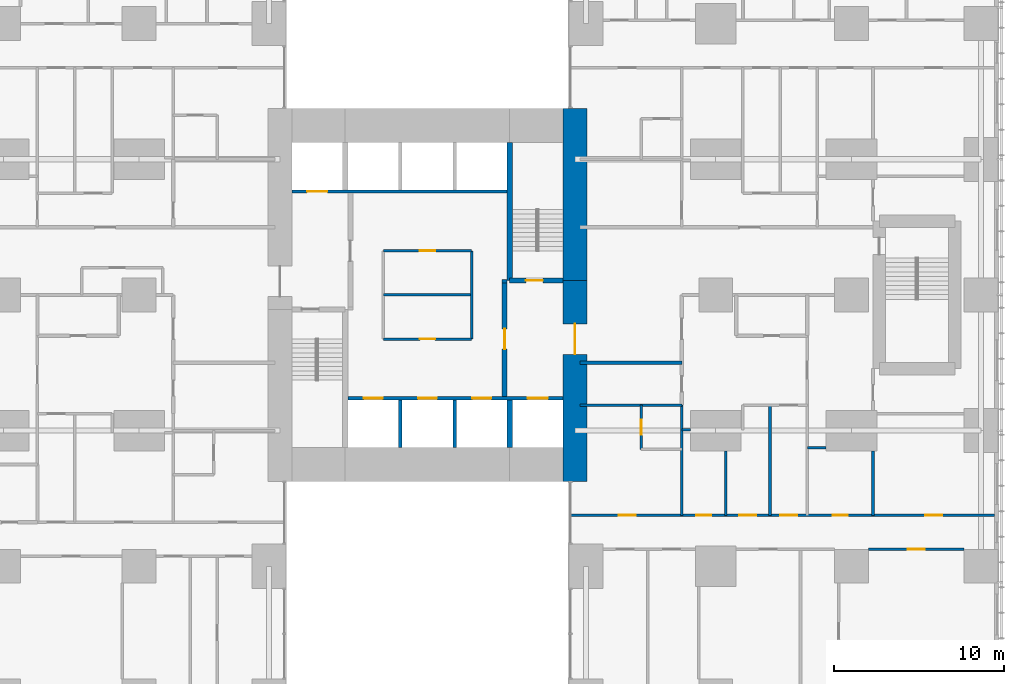
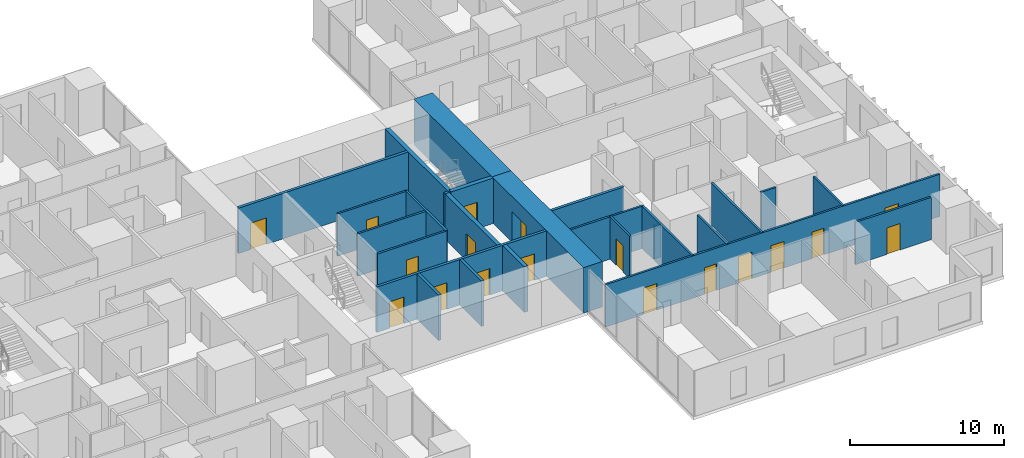
# One storey, part 15 of 20: 26 walls, 18 doors, 18 openings.
"""IFC4 building model written with IfcOpenShell, lengths in metres."""

from ifc_helpers import new_model, si_unit, direction, frame, frame_2d, origin, place, context, subcontext, project, spatial, rectangle, extrude, material, layer, layer_set, type_object, element, fill, save


model = new_model("IFC4")

# Units and contexts
model_context = context("Model", 3, precision=1e-05, world=origin(), true_north=direction((0.0, 1.0)))
body_context = subcontext(model_context, "Body", "Model", "MODEL_VIEW")
ifc_project = project(units=[si_unit("LENGTHUNIT", "METRE"), si_unit("AREAUNIT", "SQUARE_METRE"), si_unit("VOLUMEUNIT", "CUBIC_METRE"), si_unit("PLANEANGLEUNIT", "RADIAN"), si_unit("MASSUNIT", "GRAM", prefix="KILO")], contexts=[model_context])

# Site, building, storey
site_placement = place(None, origin())
site = spatial("IfcSite", under=ifc_project, at=site_placement, CompositionType="ELEMENT")
building_placement = place(site_placement, origin())
building = spatial("IfcBuilding", under=site, at=building_placement, Name="Cleftline Residences", CompositionType="ELEMENT")
storey_placement = place(building_placement, frame((0.0, 0.0, 157.39990234375)))
storey = spatial("IfcBuildingStorey", under=building, at=storey_placement, Name="L41", CompositionType="ELEMENT", Elevation=157.39990234375)

# Wall, opening, door
ifc_material_1 = material(Name="Concrete B70", Category="concrete")
ifc_layer_1 = layer(ifc_material_1, 1.39990234375)
ifc_layer_set_1 = layer_set([ifc_layer_1], Name="CORE WALL 1400")
wall_type_1 = type_object("IfcWallType", Name="CORE WALL 1400", PredefinedType="SHEAR", material=ifc_layer_set_1)
wall_1_placement = place(storey_placement, frame((41.699951171875, 13.0, 0.0), z_axis=(0.0, 0.0, 1.0), x_axis=(0.0, 1.0, 0.0)))
wall_1 = element("IfcWall", 1, at=wall_1_placement, inside=storey, type_object=wall_type_1, Name="Core wall E", PredefinedType="SHEAR", context=body_context, shape_type="SweptSolid", body=[
    extrude(rectangle(XDim=11.85009765625, YDim=1.39990234375, at=frame_2d((5.925048828125, 0.0))), origin(), (0.0, 0.0, 1.0), 3.60009765625),
])
opening_1_placement = place(wall_1_placement, frame((7.5, 0.0, 0.0)))
opening_1 = element("IfcOpeningElement", 2, at=opening_1_placement, cuts=wall_1, Name="Opening D7", PredefinedType="OPENING", context=body_context, shape_type="SweptSolid", body=[
    extrude(rectangle(XDim=1.800048828125, YDim=2.39990234375, at=frame_2d((0.89990234375, 1.199951171875))), frame((0.0, 0.7099609375, 0.0), z_axis=(0.0, -1.0, 0.0), x_axis=(1.0, 0.0, 0.0)), (0.0, 0.0, 1.0), 1.419921875),
])
ifc_material_2 = material(Name="Steel", Category="steel")
door_type_1 = type_object("IfcDoorType", Name="WING DOOR 1800X2400", OperationType="DOUBLE_DOOR_DOUBLE_SWING", PredefinedType="DOOR", material=ifc_material_2)
door_1_placement = place(opening_1_placement, origin())
door_1 = element("IfcDoor", 3, at=door_1_placement, inside=storey, type_object=door_type_1, Name="East wing door", OperationType="DOUBLE_DOOR_DOUBLE_SWING", OverallHeight=2.39990234375, OverallWidth=1.800048828125, PredefinedType="DOOR", context=body_context, shape_type="SweptSolid", body=[
    extrude(rectangle(XDim=1.800048828125, YDim=2.39990234375, at=frame_2d((0.89990234375, 1.199951171875))), frame((0.0, 0.02490234375, 0.0), z_axis=(0.0, -1.0, 0.0), x_axis=(1.0, 0.0, 0.0)), (0.0, 0.0, 1.0), 0.050048828125),
])
fill(opening_1, door_1)

# Walls
wall_2_placement = place(storey_placement, frame((41.699951171875, 24.85009765625, 0.0), z_axis=(0.0, 0.0, 1.0), x_axis=(0.0, 1.0, 0.0)))
element("IfcWall", 4, at=wall_2_placement, inside=storey, type_object=wall_type_1, Name="Core wall E1", PredefinedType="SHEAR", context=body_context, shape_type="SweptSolid", body=[
    extrude(rectangle(XDim=10.14990234375, YDim=1.39990234375, at=frame_2d((5.074951171875, 0.0))), origin(), (0.0, 0.0, 1.0), 3.60009765625),
])
ifc_material_3 = material(Name="Concrete B70", Category="concrete")
ifc_layer_2 = layer(ifc_material_3, 0.300048828125)
ifc_layer_set_2 = layer_set([ifc_layer_2], Name="CORE WALL 300")
wall_type_2 = type_object("IfcWallType", Name="CORE WALL 300", PredefinedType="SHEAR", material=ifc_layer_set_2)
wall_3_placement = place(storey_placement, frame((37.85009765625, 24.85009765625, 0.0), z_axis=(0.0, 0.0, 1.0), x_axis=(0.0, 1.0, 0.0)))
element("IfcWall", 5, at=wall_3_placement, inside=storey, type_object=wall_type_2, Name="Core wall SB-W", PredefinedType="SHEAR", context=body_context, shape_type="SweptSolid", body=[
    extrude(rectangle(XDim=8.14990234375, YDim=0.300048828125, at=frame_2d((4.074951171875, 0.0))), origin(), (0.0, 0.0, 1.0), 3.60009765625),
])

# Wall, opening, door
wall_4_placement = place(storey_placement, frame((37.85009765625, 24.85009765625, 0.0), z_axis=(0.0, 0.0, 1.0), x_axis=(1.0, 0.0, 0.0)))
wall_4 = element("IfcWall", 6, at=wall_4_placement, inside=storey, type_object=wall_type_2, Name="Core wall SB-S", PredefinedType="SHEAR", context=body_context, shape_type="SweptSolid", body=[
    extrude(rectangle(XDim=3.14990234375, YDim=0.300048828125, at=frame_2d((1.574951171875, 0.0))), origin(), (0.0, 0.0, 1.0), 3.60009765625),
])
opening_2_placement = place(wall_4_placement, frame((0.949951171875, 0.0, 0.0)))
opening_2 = element("IfcOpeningElement", 7, at=opening_2_placement, cuts=wall_4, Name="Opening D5", PredefinedType="OPENING", context=body_context, shape_type="SweptSolid", body=[
    extrude(rectangle(XDim=1.0, YDim=2.10009765625, at=frame_2d((0.5, 1.050048828125))), frame((0.0, 0.159912109375, 0.0), z_axis=(0.0, -1.0, 0.0), x_axis=(1.0, 0.0, 0.0)), (0.0, 0.0, 1.0), 0.320068359375),
])
ifc_material_4 = material(Name="Steel", Category="steel")
door_type_2 = type_object("IfcDoorType", Name="STAIR DOOR 1000X2100", OperationType="SINGLE_SWING_LEFT", PredefinedType="DOOR", material=ifc_material_4)
door_2_placement = place(opening_2_placement, origin())
door_2 = element("IfcDoor", 8, at=door_2_placement, inside=storey, type_object=door_type_2, Name="Stair B door", OperationType="SINGLE_SWING_RIGHT", OverallHeight=2.10009765625, OverallWidth=1.0, PredefinedType="DOOR", context=body_context, shape_type="SweptSolid", body=[
    extrude(rectangle(XDim=1.0, YDim=2.10009765625, at=frame_2d((0.5, 1.050048828125))), frame((0.0, 0.02490234375, 0.0), z_axis=(0.0, -1.0, 0.0), x_axis=(1.0, 0.0, 0.0)), (0.0, 0.0, 1.0), 0.050048828125),
])
fill(opening_2, door_2)

# Walls
wall_5_placement = place(storey_placement, frame((37.85009765625, 15.0, 0.0), z_axis=(0.0, 0.0, 1.0), x_axis=(0.0, 1.0, 0.0)))
element("IfcWall", 9, at=wall_5_placement, inside=storey, type_object=wall_type_2, Name="Lift shaft wall", PredefinedType="SHEAR", context=body_context, shape_type="SweptSolid", body=[
    extrude(rectangle(XDim=2.800048828125, YDim=0.300048828125, at=frame_2d((1.39990234375, 0.0))), origin(), (0.0, 0.0, 1.0), 3.60009765625),
])
ifc_material_5 = material(Name="Concrete blockwork, fire rated", Category="masonry")
ifc_layer_3 = layer(ifc_material_5, 0.199951171875)
ifc_layer_set_3 = layer_set([ifc_layer_3], Name="FIRE WALL 200")
wall_type_3 = type_object("IfcWallType", Name="FIRE WALL 200", PredefinedType="PARTITIONING", material=ifc_layer_set_3)
wall_6_placement = place(storey_placement, frame((42.0, 20.0, 0.0), z_axis=(0.0, 0.0, 1.0), x_axis=(1.0, 0.0, 0.0)))
element("IfcWall", 10, at=wall_6_placement, inside=storey, type_object=wall_type_3, Name="Fire separating wall", PredefinedType="PARTITIONING", context=body_context, shape_type="SweptSolid", body=[
    extrude(rectangle(XDim=6.0, YDim=0.199951171875, at=frame_2d((3.0, 0.0))), origin(), (0.0, 0.0, 1.0), 3.35009765625),
])
wall_7_placement = place(storey_placement, frame((37.39990234375, 24.800048828125, 0.0), z_axis=(0.0, 0.0, 1.0), x_axis=(1.0, 0.0, 0.0)))
element("IfcWall", 11, at=wall_7_placement, inside=storey, type_object=wall_type_3, Name="Fire separating wall", PredefinedType="PARTITIONING", context=body_context, shape_type="SweptSolid", body=[
    extrude(rectangle(XDim=0.300048828125, YDim=0.199951171875, at=frame_2d((0.14990234375, 0.0))), origin(), (0.0, 0.0, 1.0), 3.60009765625),
])

# Wall, opening, door
ifc_material_6 = material(Name="Gypsum board on steel studs", Category="steel")
ifc_layer_4 = layer(ifc_material_6, 0.14990234375)
ifc_layer_set_4 = layer_set([ifc_layer_4], Name="PARTITION 150")
wall_type_4 = type_object("IfcWallType", Name="PARTITION 150", PredefinedType="PARTITIONING", material=ifc_layer_set_4)
wall_8_placement = place(storey_placement, frame((59.0, 9.0, 0.0), z_axis=(0.0, 0.0, 1.0), x_axis=(1.0, 0.0, 0.0)))
wall_8 = element("IfcWall", 12, at=wall_8_placement, inside=storey, type_object=wall_type_4, Name="Partition", PredefinedType="PARTITIONING", context=body_context, shape_type="SweptSolid", body=[
    extrude(rectangle(XDim=5.64990234375, YDim=0.14990234375, at=frame_2d((2.824951171875, 0.0))), origin(), (0.0, 0.0, 1.0), 3.35009765625),
])
opening_3_placement = place(wall_8_placement, frame((2.324951171875, 0.0, 0.0)))
opening_3 = element("IfcOpeningElement", 13, at=opening_3_placement, cuts=wall_8, Name="Opening D2", PredefinedType="OPENING", context=body_context, shape_type="SweptSolid", body=[
    extrude(rectangle(XDim=1.0, YDim=2.10009765625, at=frame_2d((0.5, 1.050048828125))), frame((0.0, 0.0849609375, 0.0), z_axis=(0.0, -1.0, 0.0), x_axis=(1.0, 0.0, 0.0)), (0.0, 0.0, 1.0), 0.169921875),
])
ifc_material_7 = material(Name="Timber veneer on solid core", Category="wood")
door_type_3 = type_object("IfcDoorType", Name="DOOR 1000X2100", OperationType="SINGLE_SWING_LEFT", PredefinedType="DOOR", material=ifc_material_7)
door_3_placement = place(opening_3_placement, origin())
door_3 = element("IfcDoor", 14, at=door_3_placement, inside=storey, type_object=door_type_3, Name="Door to sea-view living room", OperationType="SINGLE_SWING_LEFT", OverallHeight=2.10009765625, OverallWidth=1.0, PredefinedType="DOOR", context=body_context, shape_type="SweptSolid", body=[
    extrude(rectangle(XDim=1.0, YDim=2.10009765625, at=frame_2d((0.5, 1.050048828125))), frame((0.0, 0.02490234375, 0.0), z_axis=(0.0, -1.0, 0.0), x_axis=(1.0, 0.0, 0.0)), (0.0, 0.0, 1.0), 0.050048828125),
])
fill(opening_3, door_3)

# Wall, openings, doors
wall_9_placement = place(storey_placement, frame((41.43896484375, 11.0, 0.0), z_axis=(0.0, 0.0, 1.0), x_axis=(1.0, 0.0, 0.0)))
wall_9 = element("IfcWall", 15, at=wall_9_placement, inside=storey, type_object=wall_type_4, Name="Partition", PredefinedType="PARTITIONING", context=body_context, shape_type="SweptSolid", body=[
    extrude(rectangle(XDim=25.010986328125, YDim=0.14990234375, at=frame_2d((12.50537109375, 0.0))), origin(), (0.0, 0.0, 1.0), 3.35009765625),
])
opening_4_placement = place(wall_9_placement, frame((12.361083984375, 0.0, 0.0)))
opening_4 = element("IfcOpeningElement", 16, at=opening_4_placement, cuts=wall_9, Name="Opening D2F30", PredefinedType="OPENING", context=body_context, shape_type="SweptSolid", body=[
    extrude(rectangle(XDim=1.0, YDim=2.10009765625, at=frame_2d((0.5, 1.050048828125))), frame((0.0, 0.0849609375, 0.0), z_axis=(0.0, -1.0, 0.0), x_axis=(1.0, 0.0, 0.0)), (0.0, 0.0, 1.0), 0.169921875),
])
opening_5_placement = place(wall_9_placement, frame((20.923583984375, 0.0, 0.0)))
opening_5 = element("IfcOpeningElement", 17, at=opening_5_placement, cuts=wall_9, Name="Opening D2F30", PredefinedType="OPENING", context=body_context, shape_type="SweptSolid", body=[
    extrude(rectangle(XDim=1.0, YDim=2.10009765625, at=frame_2d((0.5, 1.050048828125))), frame((0.0, 0.0849609375, 0.0), z_axis=(0.0, -1.0, 0.0), x_axis=(1.0, 0.0, 0.0)), (0.0, 0.0, 1.0), 0.169921875),
])
opening_6_placement = place(wall_9_placement, frame((15.448486328125, 0.0, 0.0)))
opening_6 = element("IfcOpeningElement", 18, at=opening_6_placement, cuts=wall_9, Name="Opening D1F30", PredefinedType="OPENING", context=body_context, shape_type="SweptSolid", body=[
    extrude(rectangle(XDim=0.89990234375, YDim=2.10009765625, at=frame_2d((0.449951171875, 1.050048828125))), frame((0.0, 0.0849609375, 0.0), z_axis=(0.0, -1.0, 0.0), x_axis=(1.0, 0.0, 0.0)), (0.0, 0.0, 1.0), 0.169921875),
])
opening_7_placement = place(wall_9_placement, frame((9.9609375, 0.0, 0.0)))
opening_7 = element("IfcOpeningElement", 19, at=opening_7_placement, cuts=wall_9, Name="Opening D2F30", PredefinedType="OPENING", context=body_context, shape_type="SweptSolid", body=[
    extrude(rectangle(XDim=1.0, YDim=2.10009765625, at=frame_2d((0.5, 1.050048828125))), frame((0.0, 0.0849609375, 0.0), z_axis=(0.0, -1.0, 0.0), x_axis=(1.0, 0.0, 0.0)), (0.0, 0.0, 1.0), 0.169921875),
])
opening_8_placement = place(wall_9_placement, frame((7.410888671875, 0.0, 0.0)))
opening_8 = element("IfcOpeningElement", 20, at=opening_8_placement, cuts=wall_9, Name="Opening D1F30", PredefinedType="OPENING", context=body_context, shape_type="SweptSolid", body=[
    extrude(rectangle(XDim=0.89990234375, YDim=2.10009765625, at=frame_2d((0.449951171875, 1.050048828125))), frame((0.0, 0.0849609375, 0.0), z_axis=(0.0, -1.0, 0.0), x_axis=(1.0, 0.0, 0.0)), (0.0, 0.0, 1.0), 0.169921875),
])
opening_9_placement = place(wall_9_placement, frame((2.8359375, 0.0, 0.0)))
opening_9 = element("IfcOpeningElement", 21, at=opening_9_placement, cuts=wall_9, Name="Opening D2F30", PredefinedType="OPENING", context=body_context, shape_type="SweptSolid", body=[
    extrude(rectangle(XDim=1.0, YDim=2.10009765625, at=frame_2d((0.5, 1.050048828125))), frame((0.0, 0.0849609375, 0.0), z_axis=(0.0, -1.0, 0.0), x_axis=(1.0, 0.0, 0.0)), (0.0, 0.0, 1.0), 0.169921875),
])
ifc_material_8 = material(Name="Timber veneer on solid core", Category="wood")
door_type_4 = type_object("IfcDoorType", Name="DOOR 1000X2100 EI 30", OperationType="SINGLE_SWING_LEFT", PredefinedType="DOOR", material=ifc_material_8)
door_4_placement = place(opening_4_placement, origin())
door_4 = element("IfcDoor", 22, at=door_4_placement, inside=storey, type_object=door_type_4, Name="Door to residence hall (gallery)", OperationType="SINGLE_SWING_LEFT", OverallHeight=2.10009765625, OverallWidth=1.0, PredefinedType="DOOR", context=body_context, shape_type="SweptSolid", body=[
    extrude(rectangle(XDim=1.0, YDim=2.10009765625, at=frame_2d((0.5, 1.050048828125))), frame((0.0, 0.02490234375, 0.0), z_axis=(0.0, -1.0, 0.0), x_axis=(1.0, 0.0, 0.0)), (0.0, 0.0, 1.0), 0.050048828125),
])
fill(opening_4, door_4)
door_5_placement = place(opening_5_placement, origin())
door_5 = element("IfcDoor", 23, at=door_5_placement, inside=storey, type_object=door_type_4, Name="Door to altar room", OperationType="SINGLE_SWING_LEFT", OverallHeight=2.10009765625, OverallWidth=1.0, PredefinedType="DOOR", context=body_context, shape_type="SweptSolid", body=[
    extrude(rectangle(XDim=1.0, YDim=2.10009765625, at=frame_2d((0.5, 1.050048828125))), frame((0.0, 0.02490234375, 0.0), z_axis=(0.0, -1.0, 0.0), x_axis=(1.0, 0.0, 0.0)), (0.0, 0.0, 1.0), 0.050048828125),
])
fill(opening_5, door_5)
door_6_placement = place(opening_7_placement, origin())
door_6 = element("IfcDoor", 24, at=door_6_placement, inside=storey, type_object=door_type_4, Name="Door to wet kitchen", OperationType="SINGLE_SWING_RIGHT", OverallHeight=2.10009765625, OverallWidth=1.0, PredefinedType="DOOR", context=body_context, shape_type="SweptSolid", body=[
    extrude(rectangle(XDim=1.0, YDim=2.10009765625, at=frame_2d((0.5, 1.050048828125))), frame((0.0, 0.02490234375, 0.0), z_axis=(0.0, -1.0, 0.0), x_axis=(1.0, 0.0, 0.0)), (0.0, 0.0, 1.0), 0.050048828125),
])
fill(opening_7, door_6)
door_7_placement = place(opening_9_placement, origin())
door_7 = element("IfcDoor", 25, at=door_7_placement, inside=storey, type_object=door_type_4, Name="Door to staff bedroom", OperationType="SINGLE_SWING_RIGHT", OverallHeight=2.10009765625, OverallWidth=1.0, PredefinedType="DOOR", context=body_context, shape_type="SweptSolid", body=[
    extrude(rectangle(XDim=1.0, YDim=2.10009765625, at=frame_2d((0.5, 1.050048828125))), frame((0.0, 0.02490234375, 0.0), z_axis=(0.0, -1.0, 0.0), x_axis=(1.0, 0.0, 0.0)), (0.0, 0.0, 1.0), 0.050048828125),
])
fill(opening_9, door_7)
ifc_material_9 = material(Name="Timber veneer on solid core", Category="wood")
door_type_5 = type_object("IfcDoorType", Name="DOOR 900X2100 EI 30", OperationType="SINGLE_SWING_LEFT", PredefinedType="DOOR", material=ifc_material_9)
door_8_placement = place(opening_6_placement, origin())
door_8 = element("IfcDoor", 26, at=door_8_placement, inside=storey, type_object=door_type_5, Name="Door to store room", OperationType="SINGLE_SWING_LEFT", OverallHeight=2.10009765625, OverallWidth=0.89990234375, PredefinedType="DOOR", context=body_context, shape_type="SweptSolid", body=[
    extrude(rectangle(XDim=0.89990234375, YDim=2.10009765625, at=frame_2d((0.449951171875, 1.050048828125))), frame((0.0, 0.02490234375, 0.0), z_axis=(0.0, -1.0, 0.0), x_axis=(1.0, 0.0, 0.0)), (0.0, 0.0, 1.0), 0.050048828125),
])
fill(opening_6, door_8)
door_9_placement = place(opening_8_placement, origin())
door_9 = element("IfcDoor", 27, at=door_9_placement, inside=storey, type_object=door_type_5, Name="Door to pantry", OperationType="SINGLE_SWING_RIGHT", OverallHeight=2.10009765625, OverallWidth=0.89990234375, PredefinedType="DOOR", context=body_context, shape_type="SweptSolid", body=[
    extrude(rectangle(XDim=0.89990234375, YDim=2.10009765625, at=frame_2d((0.449951171875, 1.050048828125))), frame((0.0, 0.02490234375, 0.0), z_axis=(0.0, -1.0, 0.0), x_axis=(1.0, 0.0, 0.0)), (0.0, 0.0, 1.0), 0.050048828125),
])
fill(opening_8, door_9)

# Walls
wall_10_placement = place(storey_placement, frame((55.39990234375, 15.0, 0.0), z_axis=(0.0, 0.0, 1.0), x_axis=(1.0, 0.0, 0.0)))
element("IfcWall", 28, at=wall_10_placement, inside=storey, type_object=wall_type_4, Name="Partition", PredefinedType="PARTITIONING", context=body_context, shape_type="SweptSolid", body=[
    extrude(rectangle(XDim=1.10009765625, YDim=0.14990234375, at=frame_2d((0.550048828125, 0.0))), origin(), (0.0, 0.0, 1.0), 3.35009765625),
])
wall_11_placement = place(storey_placement, frame((48.0, 16.050048828125, 0.0), z_axis=(0.0, 0.0, 1.0), x_axis=(1.0, 0.0, 0.0)))
element("IfcWall", 29, at=wall_11_placement, inside=storey, type_object=wall_type_4, Name="Partition", PredefinedType="PARTITIONING", context=body_context, shape_type="SweptSolid", body=[
    extrude(rectangle(XDim=0.5, YDim=0.14990234375, at=frame_2d((0.25, 0.0))), origin(), (0.0, 0.0, 1.0), 2.634033203125),
])
wall_12_placement = place(storey_placement, frame((42.0, 17.5, 0.0), z_axis=(0.0, 0.0, 1.0), x_axis=(1.0, 0.0, 0.0)))
element("IfcWall", 30, at=wall_12_placement, inside=storey, type_object=wall_type_4, Name="Partition", PredefinedType="PARTITIONING", context=body_context, shape_type="SweptSolid", body=[
    extrude(rectangle(XDim=6.0, YDim=0.14990234375, at=frame_2d((3.0, 0.0))), origin(), (0.0, 0.0, 1.0), 3.35009765625),
])

# Wall, opening, door
wall_13_placement = place(storey_placement, frame((45.60009765625, 14.89990234375, 0.0), z_axis=(0.0, 0.0, 1.0), x_axis=(0.0, 1.0, 0.0)))
wall_13 = element("IfcWall", 31, at=wall_13_placement, inside=storey, type_object=wall_type_4, Name="Partition", PredefinedType="PARTITIONING", context=body_context, shape_type="SweptSolid", body=[
    extrude(rectangle(XDim=2.60009765625, YDim=0.14990234375, at=frame_2d((1.300048828125, 0.0))), origin(), (0.0, 0.0, 1.0), 3.35009765625),
])
opening_10_placement = place(wall_13_placement, frame((0.85009765625, 0.0, 0.0)))
opening_10 = element("IfcOpeningElement", 32, at=opening_10_placement, cuts=wall_13, Name="Opening D1", PredefinedType="OPENING", context=body_context, shape_type="SweptSolid", body=[
    extrude(rectangle(XDim=0.89990234375, YDim=2.10009765625, at=frame_2d((0.449951171875, 1.050048828125))), frame((0.0, 0.0849609375, 0.0), z_axis=(0.0, -1.0, 0.0), x_axis=(1.0, 0.0, 0.0)), (0.0, 0.0, 1.0), 0.169921875),
])
ifc_material_10 = material(Name="Timber veneer on solid core", Category="wood")
door_type_6 = type_object("IfcDoorType", Name="DOOR 900X2100", OperationType="SINGLE_SWING_LEFT", PredefinedType="DOOR", material=ifc_material_10)
door_10_placement = place(opening_10_placement, origin())
door_10 = element("IfcDoor", 33, at=door_10_placement, inside=storey, type_object=door_type_6, Name="Door to staff shower room", OperationType="SINGLE_SWING_LEFT", OverallHeight=2.10009765625, OverallWidth=0.89990234375, PredefinedType="DOOR", context=body_context, shape_type="SweptSolid", body=[
    extrude(rectangle(XDim=0.89990234375, YDim=2.10009765625, at=frame_2d((0.449951171875, 1.050048828125))), frame((0.0, 0.02490234375, 0.0), z_axis=(0.0, -1.0, 0.0), x_axis=(1.0, 0.0, 0.0)), (0.0, 0.0, 1.0), 0.050048828125),
])
fill(opening_10, door_10)

# Walls
wall_14_placement = place(storey_placement, frame((48.0, 11.0, 0.0), z_axis=(0.0, 0.0, 1.0), x_axis=(0.0, 1.0, 0.0)))
element("IfcWall", 34, at=wall_14_placement, inside=storey, type_object=wall_type_4, Name="Partition", PredefinedType="PARTITIONING", context=body_context, shape_type="SweptSolid", body=[
    extrude(rectangle(XDim=6.5, YDim=0.14990234375, at=frame_2d((3.25, 0.0))), origin(), (0.0, 0.0, 1.0), 3.35009765625),
])
wall_15_placement = place(storey_placement, frame((50.60009765625, 11.0, 0.0), z_axis=(0.0, 0.0, 1.0), x_axis=(0.0, 1.0, 0.0)))
element("IfcWall", 35, at=wall_15_placement, inside=storey, type_object=wall_type_4, Name="Partition", PredefinedType="PARTITIONING", context=body_context, shape_type="SweptSolid", body=[
    extrude(rectangle(XDim=3.800048828125, YDim=0.14990234375, at=frame_2d((1.89990234375, 0.0))), origin(), (0.0, 0.0, 1.0), 3.35009765625),
])
wall_16_placement = place(storey_placement, frame((53.199951171875, 11.0, 0.0), z_axis=(0.0, 0.0, 1.0), x_axis=(0.0, 1.0, 0.0)))
element("IfcWall", 36, at=wall_16_placement, inside=storey, type_object=wall_type_4, Name="Partition", PredefinedType="PARTITIONING", context=body_context, shape_type="SweptSolid", body=[
    extrude(rectangle(XDim=6.5, YDim=0.14990234375, at=frame_2d((3.25, 0.0))), origin(), (0.0, 0.0, 1.0), 3.35009765625),
])
wall_17_placement = place(storey_placement, frame((59.27490234375, 11.0, 0.0), z_axis=(0.0, 0.0, 1.0), x_axis=(0.0, 1.0, 0.0)))
element("IfcWall", 37, at=wall_17_placement, inside=storey, type_object=wall_type_4, Name="Partition", PredefinedType="PARTITIONING", context=body_context, shape_type="SweptSolid", body=[
    extrude(rectangle(XDim=3.800048828125, YDim=0.14990234375, at=frame_2d((1.89990234375, 0.0))), origin(), (0.0, 0.0, 1.0), 3.35009765625),
])

# Wall, opening, door
ifc_material_11 = material(Name="Fire-resisting gypsum board on steel studs", Category="steel")
ifc_layer_5 = layer(ifc_material_11, 0.14990234375)
ifc_layer_set_5 = layer_set([ifc_layer_5], Name="PARTITION 150 EI 60")
wall_type_5 = type_object("IfcWallType", Name="PARTITION 150 EI 60", PredefinedType="PARTITIONING", material=ifc_layer_set_5)
wall_18_placement = place(storey_placement, frame((30.39990234375, 21.39990234375, 0.0), z_axis=(0.0, 0.0, 1.0), x_axis=(1.0, 0.0, 0.0)))
wall_18 = element("IfcWall", 38, at=wall_18_placement, inside=storey, type_object=wall_type_5, Name="Core room partition", PredefinedType="PARTITIONING", context=body_context, shape_type="SweptSolid", body=[
    extrude(rectangle(XDim=5.2001953125, YDim=0.14990234375, at=frame_2d((2.60009765625, 0.0))), origin(), (0.0, 0.0, 1.0), 3.35009765625),
])
opening_11_placement = place(wall_18_placement, frame((2.14990234375, 0.0, 0.0)))
opening_11 = element("IfcOpeningElement", 39, at=opening_11_placement, cuts=wall_18, Name="Opening D1F30", PredefinedType="OPENING", context=body_context, shape_type="SweptSolid", body=[
    extrude(rectangle(XDim=0.89990234375, YDim=2.10009765625, at=frame_2d((0.449951171875, 1.050048828125))), frame((0.0, 0.0849609375, 0.0), z_axis=(0.0, -1.0, 0.0), x_axis=(1.0, 0.0, 0.0)), (0.0, 0.0, 1.0), 0.169921875),
])
door_11_placement = place(opening_11_placement, origin())
door_11 = element("IfcDoor", 40, at=door_11_placement, inside=storey, type_object=door_type_5, Name="Door to maintenance store", OperationType="SINGLE_SWING_LEFT", OverallHeight=2.10009765625, OverallWidth=0.89990234375, PredefinedType="DOOR", context=body_context, shape_type="SweptSolid", body=[
    extrude(rectangle(XDim=0.89990234375, YDim=2.10009765625, at=frame_2d((0.449951171875, 1.050048828125))), frame((0.0, 0.02490234375, 0.0), z_axis=(0.0, -1.0, 0.0), x_axis=(1.0, 0.0, 0.0)), (0.0, 0.0, 1.0), 0.050048828125),
])
fill(opening_11, door_11)

wall_19_placement = place(storey_placement, frame((30.39990234375, 26.60009765625, 0.0), z_axis=(0.0, 0.0, 1.0), x_axis=(1.0, 0.0, 0.0)))
wall_19 = element("IfcWall", 41, at=wall_19_placement, inside=storey, type_object=wall_type_5, Name="Core room partition", PredefinedType="PARTITIONING", context=body_context, shape_type="SweptSolid", body=[
    extrude(rectangle(XDim=5.2001953125, YDim=0.14990234375, at=frame_2d((2.60009765625, 0.0))), origin(), (0.0, 0.0, 1.0), 3.35009765625),
])
opening_12_placement = place(wall_19_placement, frame((2.14990234375, 0.0, 0.0)))
opening_12 = element("IfcOpeningElement", 42, at=opening_12_placement, cuts=wall_19, Name="Opening D1F30", PredefinedType="OPENING", context=body_context, shape_type="SweptSolid", body=[
    extrude(rectangle(XDim=0.89990234375, YDim=2.10009765625, at=frame_2d((0.449951171875, 1.050048828125))), frame((0.0, 0.0849609375, 0.0), z_axis=(0.0, -1.0, 0.0), x_axis=(1.0, 0.0, 0.0)), (0.0, 0.0, 1.0), 0.169921875),
])
door_12_placement = place(opening_12_placement, origin())
door_12 = element("IfcDoor", 43, at=door_12_placement, inside=storey, type_object=door_type_5, Name="Door to housekeeping pantry", OperationType="SINGLE_SWING_LEFT", OverallHeight=2.10009765625, OverallWidth=0.89990234375, PredefinedType="DOOR", context=body_context, shape_type="SweptSolid", body=[
    extrude(rectangle(XDim=0.89990234375, YDim=2.10009765625, at=frame_2d((0.449951171875, 1.050048828125))), frame((0.0, 0.02490234375, 0.0), z_axis=(0.0, -1.0, 0.0), x_axis=(1.0, 0.0, 0.0)), (0.0, 0.0, 1.0), 0.050048828125),
])
fill(opening_12, door_12)

# Walls
for number, where, z_axis, x_axis, name in (
    (44, (35.60009765625, 21.39990234375, 0.0), (0.0, 0.0, 1.0), (0.0, 1.0, 0.0), "Core room partition"),
    (45, (30.39990234375, 24.0, 0.0), (0.0, 0.0, 1.0), (1.0, 0.0, 0.0), "Core room partition"),
):
    element("IfcWall", number, at=place(storey_placement, frame(where, z_axis=z_axis, x_axis=x_axis)), inside=storey, type_object=wall_type_5, Name=name, PredefinedType="PARTITIONING", context=body_context, shape_type="SweptSolid", body=[
        extrude(rectangle(XDim=5.2001953125, YDim=0.14990234375, at=frame_2d((2.60009765625, 0.0))), origin(), (0.0, 0.0, 1.0), 3.35009765625),
    ])

# Wall, openings, doors
ifc_material_12 = material(Name="Concrete blockwork, fire rated", Category="masonry")
ifc_layer_6 = layer(ifc_material_12, 0.199951171875)
ifc_layer_set_6 = layer_set([ifc_layer_6], Name="SHAFT WALL 200")
wall_type_6 = type_object("IfcWallType", Name="SHAFT WALL 200", PredefinedType="PARTITIONING", material=ifc_layer_set_6)
wall_20_placement = place(storey_placement, frame((28.300048828125, 17.89990234375, 0.0), z_axis=(0.0, 0.0, 1.0), x_axis=(1.0, 0.0, 0.0)))
wall_20 = element("IfcWall", 46, at=wall_20_placement, inside=storey, type_object=wall_type_6, Name="Lift shaft wall", PredefinedType="PARTITIONING", context=body_context, shape_type="SweptSolid", body=[
    extrude(rectangle(XDim=12.699951171875, YDim=0.199951171875, at=frame_2d((6.35009765625, 0.0))), origin(), (0.0, 0.0, 1.0), 3.60009765625),
])
opening_13_placement = place(wall_20_placement, frame((0.949951171875, 0.0, 0.0)))
opening_13 = element("IfcOpeningElement", 47, at=opening_13_placement, cuts=wall_20, Name="Opening LD1", PredefinedType="OPENING", context=body_context, shape_type="SweptSolid", body=[
    extrude(rectangle(XDim=1.10009765625, YDim=2.10009765625, at=frame_2d((0.550048828125, 1.050048828125))), frame((0.0, 0.10986328125, 0.0), z_axis=(0.0, -1.0, 0.0), x_axis=(1.0, 0.0, 0.0)), (0.0, 0.0, 1.0), 0.219970703125),
])
opening_14_placement = place(wall_20_placement, frame((4.14990234375, 0.0, 0.0)))
opening_14 = element("IfcOpeningElement", 48, at=opening_14_placement, cuts=wall_20, Name="Opening LD1", PredefinedType="OPENING", context=body_context, shape_type="SweptSolid", body=[
    extrude(rectangle(XDim=1.10009765625, YDim=2.10009765625, at=frame_2d((0.550048828125, 1.050048828125))), frame((0.0, 0.10986328125, 0.0), z_axis=(0.0, -1.0, 0.0), x_axis=(1.0, 0.0, 0.0)), (0.0, 0.0, 1.0), 0.219970703125),
])
opening_15_placement = place(wall_20_placement, frame((7.35009765625, 0.0, 0.0)))
opening_15 = element("IfcOpeningElement", 49, at=opening_15_placement, cuts=wall_20, Name="Opening LD1", PredefinedType="OPENING", context=body_context, shape_type="SweptSolid", body=[
    extrude(rectangle(XDim=1.10009765625, YDim=2.10009765625, at=frame_2d((0.550048828125, 1.050048828125))), frame((0.0, 0.10986328125, 0.0), z_axis=(0.0, -1.0, 0.0), x_axis=(1.0, 0.0, 0.0)), (0.0, 0.0, 1.0), 0.219970703125),
])
opening_16_placement = place(wall_20_placement, frame((10.60009765625, 0.0, 0.0)))
opening_16 = element("IfcOpeningElement", 50, at=opening_16_placement, cuts=wall_20, Name="Opening LD2", PredefinedType="OPENING", context=body_context, shape_type="SweptSolid", body=[
    extrude(rectangle(XDim=1.199951171875, YDim=2.10009765625, at=frame_2d((0.60009765625, 1.050048828125))), frame((0.0, 0.10986328125, 0.0), z_axis=(0.0, -1.0, 0.0), x_axis=(1.0, 0.0, 0.0)), (0.0, 0.0, 1.0), 0.219970703125),
])
ifc_material_13 = material(Name="Steel", Category="steel")
door_type_7 = type_object("IfcDoorType", Name="FIREFIGHTING LIFT LANDING DOOR 1200X2100", OperationType="SLIDING_TO_LEFT", PredefinedType="DOOR", material=ifc_material_13)
door_13_placement = place(opening_16_placement, origin())
door_13 = element("IfcDoor", 51, at=door_13_placement, inside=storey, type_object=door_type_7, Name="Lift FL2 landing door", OperationType="SLIDING_TO_LEFT", OverallHeight=2.10009765625, OverallWidth=1.199951171875, PredefinedType="DOOR", context=body_context, shape_type="SweptSolid", body=[
    extrude(rectangle(XDim=1.199951171875, YDim=2.10009765625, at=frame_2d((0.60009765625, 1.050048828125))), frame((0.0, 0.02490234375, 0.0), z_axis=(0.0, -1.0, 0.0), x_axis=(1.0, 0.0, 0.0)), (0.0, 0.0, 1.0), 0.050048828125),
])
fill(opening_16, door_13)
ifc_material_14 = material(Name="Steel", Category="steel")
door_type_8 = type_object("IfcDoorType", Name="LIFT LANDING DOOR 1100X2100", OperationType="SLIDING_TO_LEFT", PredefinedType="DOOR", material=ifc_material_14)
door_14_placement = place(opening_13_placement, origin())
door_14 = element("IfcDoor", 52, at=door_14_placement, inside=storey, type_object=door_type_8, Name="Lift P1 landing door", OperationType="SLIDING_TO_LEFT", OverallHeight=2.10009765625, OverallWidth=1.10009765625, PredefinedType="DOOR", context=body_context, shape_type="SweptSolid", body=[
    extrude(rectangle(XDim=1.10009765625, YDim=2.10009765625, at=frame_2d((0.550048828125, 1.050048828125))), frame((0.0, 0.02490234375, 0.0), z_axis=(0.0, -1.0, 0.0), x_axis=(1.0, 0.0, 0.0)), (0.0, 0.0, 1.0), 0.050048828125),
])
fill(opening_13, door_14)
door_15_placement = place(opening_14_placement, origin())
door_15 = element("IfcDoor", 53, at=door_15_placement, inside=storey, type_object=door_type_8, Name="Lift P2 landing door", OperationType="SLIDING_TO_LEFT", OverallHeight=2.10009765625, OverallWidth=1.10009765625, PredefinedType="DOOR", context=body_context, shape_type="SweptSolid", body=[
    extrude(rectangle(XDim=1.10009765625, YDim=2.10009765625, at=frame_2d((0.550048828125, 1.050048828125))), frame((0.0, 0.02490234375, 0.0), z_axis=(0.0, -1.0, 0.0), x_axis=(1.0, 0.0, 0.0)), (0.0, 0.0, 1.0), 0.050048828125),
])
fill(opening_14, door_15)
door_16_placement = place(opening_15_placement, origin())
door_16 = element("IfcDoor", 54, at=door_16_placement, inside=storey, type_object=door_type_8, Name="Lift P3 landing door", OperationType="SLIDING_TO_LEFT", OverallHeight=2.10009765625, OverallWidth=1.10009765625, PredefinedType="DOOR", context=body_context, shape_type="SweptSolid", body=[
    extrude(rectangle(XDim=1.10009765625, YDim=2.10009765625, at=frame_2d((0.550048828125, 1.050048828125))), frame((0.0, 0.02490234375, 0.0), z_axis=(0.0, -1.0, 0.0), x_axis=(1.0, 0.0, 0.0)), (0.0, 0.0, 1.0), 0.050048828125),
])
fill(opening_15, door_16)

# Wall, opening, door
wall_21_placement = place(storey_placement, frame((25.0, 30.10009765625, 0.0), z_axis=(0.0, 0.0, 1.0), x_axis=(1.0, 0.0, 0.0)))
wall_21 = element("IfcWall", 55, at=wall_21_placement, inside=storey, type_object=wall_type_6, Name="Lift shaft wall", PredefinedType="PARTITIONING", context=body_context, shape_type="SweptSolid", body=[
    extrude(rectangle(XDim=12.699951171875, YDim=0.199951171875, at=frame_2d((6.35009765625, 0.0))), origin(), (0.0, 0.0, 1.0), 3.60009765625),
])
opening_17_placement = place(wall_21_placement, frame((0.89990234375, 0.0, 0.0)))
opening_17 = element("IfcOpeningElement", 56, at=opening_17_placement, cuts=wall_21, Name="Opening LD2", PredefinedType="OPENING", context=body_context, shape_type="SweptSolid", body=[
    extrude(rectangle(XDim=1.199951171875, YDim=2.10009765625, at=frame_2d((0.60009765625, 1.050048828125))), frame((0.0, 0.10986328125, 0.0), z_axis=(0.0, -1.0, 0.0), x_axis=(1.0, 0.0, 0.0)), (0.0, 0.0, 1.0), 0.219970703125),
])
door_17_placement = place(opening_17_placement, origin())
door_17 = element("IfcDoor", 57, at=door_17_placement, inside=storey, type_object=door_type_7, Name="Lift FL1 landing door", OperationType="SLIDING_TO_LEFT", OverallHeight=2.10009765625, OverallWidth=1.199951171875, PredefinedType="DOOR", context=body_context, shape_type="SweptSolid", body=[
    extrude(rectangle(XDim=1.199951171875, YDim=2.10009765625, at=frame_2d((0.60009765625, 1.050048828125))), frame((0.0, 0.02490234375, 0.0), z_axis=(0.0, -1.0, 0.0), x_axis=(1.0, 0.0, 0.0)), (0.0, 0.0, 1.0), 0.050048828125),
])
fill(opening_17, door_17)

# Walls
for number, where, z_axis, x_axis, name in (
    (58, (31.39990234375, 15.0, 0.0), (0.0, 0.0, 1.0), (0.0, 1.0, 0.0), "Lift shaft wall"),
    (59, (34.60009765625, 15.0, 0.0), (0.0, 0.0, 1.0), (0.0, 1.0, 0.0), "Lift shaft wall"),
):
    element("IfcWall", number, at=place(storey_placement, frame(where, z_axis=z_axis, x_axis=x_axis)), inside=storey, type_object=wall_type_6, Name=name, PredefinedType="PARTITIONING", context=body_context, shape_type="SweptSolid", body=[
        extrude(rectangle(XDim=2.800048828125, YDim=0.199951171875, at=frame_2d((1.39990234375, 0.0))), origin(), (0.0, 0.0, 1.0), 3.60009765625),
    ])

# Wall, opening, door
ifc_material_15 = material(Name="Concrete blockwork, fire rated", Category="masonry")
ifc_layer_7 = layer(ifc_material_15, 0.300048828125)
ifc_layer_set_7 = layer_set([ifc_layer_7], Name="STAIR LOBBY WALL 300")
wall_type_7 = type_object("IfcWallType", Name="STAIR LOBBY WALL 300", PredefinedType="PARTITIONING", material=ifc_layer_set_7)
wall_22_placement = place(storey_placement, frame((37.550048828125, 18.0, 0.0), z_axis=(0.0, 0.0, 1.0), x_axis=(0.0, 1.0, 0.0)))
wall_22 = element("IfcWall", 60, at=wall_22_placement, inside=storey, type_object=wall_type_7, Name="Stair and lobby wall FB-W", PredefinedType="PARTITIONING", context=body_context, shape_type="SweptSolid", body=[
    extrude(rectangle(XDim=6.699951171875, YDim=0.300048828125, at=frame_2d((3.35009765625, 0.0))), origin(), (0.0, 0.0, 1.0), 3.60009765625),
])
opening_18_placement = place(wall_22_placement, frame((2.800048828125, 0.0, 0.0)))
opening_18 = element("IfcOpeningElement", 61, at=opening_18_placement, cuts=wall_22, Name="Opening D6", PredefinedType="OPENING", context=body_context, shape_type="SweptSolid", body=[
    extrude(rectangle(XDim=1.199951171875, YDim=2.10009765625, at=frame_2d((0.60009765625, 1.050048828125))), frame((0.0, 0.159912109375, 0.0), z_axis=(0.0, -1.0, 0.0), x_axis=(1.0, 0.0, 0.0)), (0.0, 0.0, 1.0), 0.320068359375),
])
ifc_material_16 = material(Name="Steel", Category="steel")
door_type_9 = type_object("IfcDoorType", Name="LOBBY DOOR 1200X2100", OperationType="SINGLE_SWING_RIGHT", PredefinedType="DOOR", material=ifc_material_16)
door_18_placement = place(opening_18_placement, origin())
door_18 = element("IfcDoor", 62, at=door_18_placement, inside=storey, type_object=door_type_9, Name="Firefighting lobby B door", OperationType="SINGLE_SWING_LEFT", OverallHeight=2.10009765625, OverallWidth=1.199951171875, PredefinedType="DOOR", context=body_context, shape_type="SweptSolid", body=[
    extrude(rectangle(XDim=1.199951171875, YDim=2.10009765625, at=frame_2d((0.60009765625, 1.050048828125))), frame((0.0, 0.02490234375, 0.0), z_axis=(0.0, -1.0, 0.0), x_axis=(1.0, 0.0, 0.0)), (0.0, 0.0, 1.0), 0.050048828125),
])
fill(opening_18, door_18)

save(model, "model.ifc")
